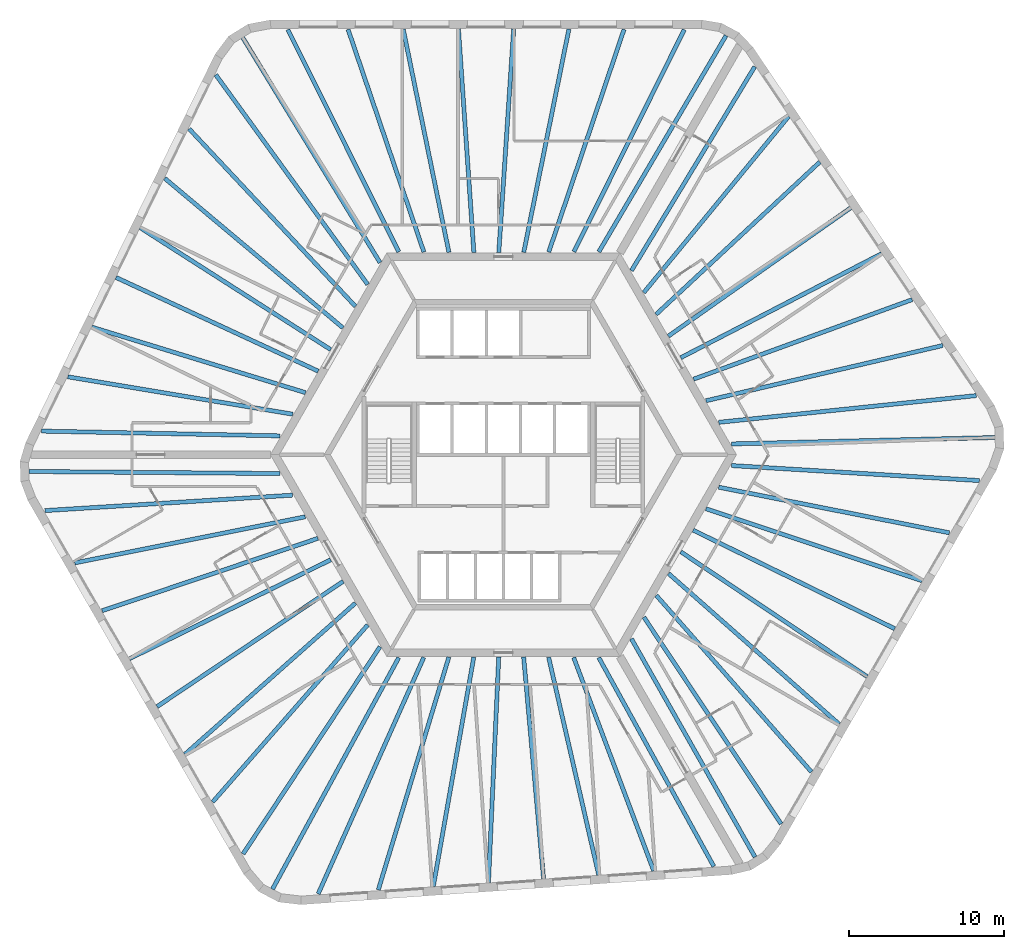
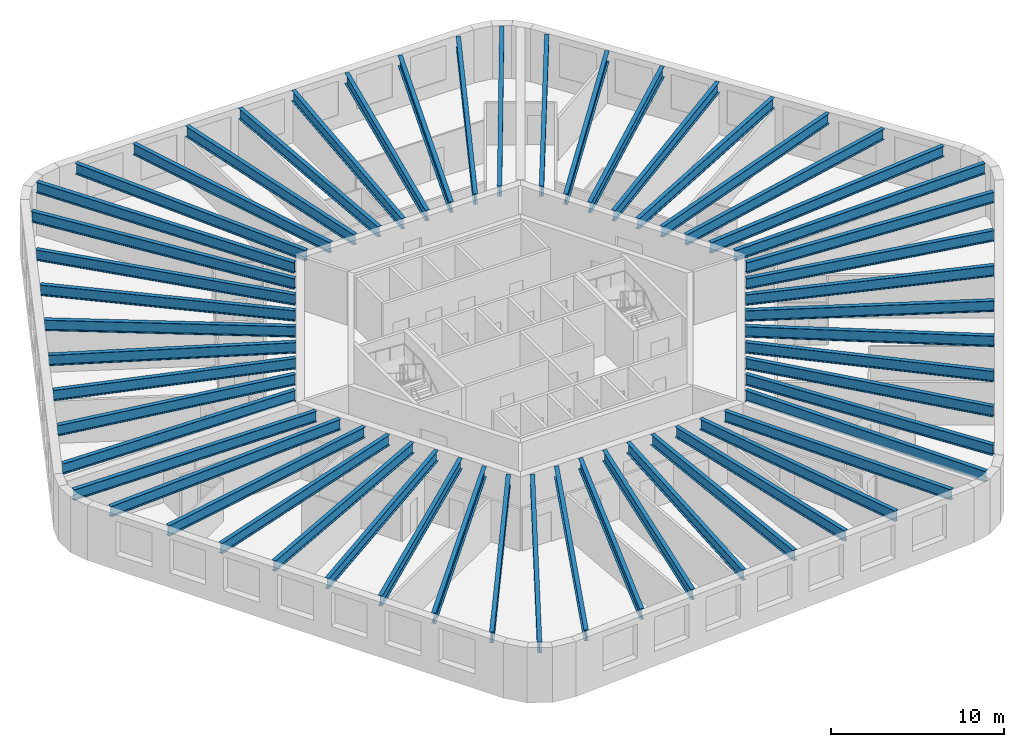
# One storey, part 1 of 10: 54 beams.
"""IFC4 building model written with IfcOpenShell, lengths in metres."""

from ifc_helpers import new_model, si_unit, direction, frame, origin, origin_2d, place, context, subcontext, project, spatial, i_section, extrude, material, material_profile, profile_set, type_object, element, save


model = new_model("IFC4")

# Units and contexts
model_context = context("Model", 3, precision=1e-05, world=origin(), true_north=direction((0.0, 1.0)))
body_context = subcontext(model_context, "Body", "Model", "MODEL_VIEW")
ifc_project = project(units=[si_unit("LENGTHUNIT", "METRE"), si_unit("AREAUNIT", "SQUARE_METRE"), si_unit("VOLUMEUNIT", "CUBIC_METRE"), si_unit("PLANEANGLEUNIT", "RADIAN"), si_unit("MASSUNIT", "GRAM", prefix="KILO")], contexts=[model_context])

# Site, building, storey
site_placement = place(None, origin())
site = spatial("IfcSite", under=ifc_project, at=site_placement, CompositionType="ELEMENT")
building_placement = place(site_placement, origin())
building = spatial("IfcBuilding", under=site, at=building_placement, Name="Tarnside Tower", CompositionType="ELEMENT")
storey_placement = place(building_placement, frame((0.0, 0.0, 234.60009765625)))
storey = spatial("IfcBuildingStorey", under=building, at=storey_placement, Name="L56", CompositionType="ELEMENT", Elevation=234.60009765625)

# Beams
ifc_material = material(Name="Steel S355", Category="steel")
ifc_material_profile_1 = material_profile(ifc_material, i_section(OverallWidth=0.26513671875, OverallDepth=0.75390625, WebThickness=0.0126953125, FlangeThickness=0.017578125, FilletRadius=0.0166015625, at=origin_2d()), Name="UB 762x267x147")
ifc_profile_set_1 = profile_set([ifc_material_profile_1], Name="Steel S355")
beam_type_1 = type_object("IfcBeamType", Name="Floor beam UB 762x267x147", PredefinedType="BEAM", material=ifc_profile_set_1)
beam_1_placement = place(storey_placement, frame((7.77001953125, 27.393310546875, 3.372802734375), z_axis=(-0.320362579778, -0.947295000239, 0.0), x_axis=(0.947295000239, -0.320362579778, 0.0)))
element("IfcBeam", 1, at=beam_1_placement, inside=storey, type_object=beam_type_1, Name="Floor beam F1.02", PredefinedType="BEAM", context=body_context, shape_type="SweptSolid", body=[
    extrude(i_section(OverallWidth=0.26513671875, OverallDepth=0.75390625, WebThickness=0.0126953125, FlangeThickness=0.017578125, FilletRadius=0.0166015625, at=origin_2d()), origin(), (0.0, 0.0, 1.0), 15.134033203125),
])
beam_2_placement = place(storey_placement, frame((4.218505859375, 27.410888671875, 3.372802734375), z_axis=(-0.19841777413, -0.980117537293, 0.0), x_axis=(0.980117537293, -0.19841777413, 0.0)))
element("IfcBeam", 2, at=beam_2_placement, inside=storey, type_object=beam_type_1, Name="Floor beam F1.03", PredefinedType="BEAM", context=body_context, shape_type="SweptSolid", body=[
    extrude(i_section(OverallWidth=0.26513671875, OverallDepth=0.75390625, WebThickness=0.0126953125, FlangeThickness=0.017578125, FilletRadius=0.0166015625, at=origin_2d()), origin(), (0.0, 0.0, 1.0), 14.6630859375),
])
beam_3_placement = place(storey_placement, frame((0.66259765625, 27.429931640625, 3.372802734375), z_axis=(-0.066554914868, -0.997782763585, 0.0), x_axis=(0.997782763585, -0.066554914868, 0.0)))
element("IfcBeam", 3, at=beam_3_placement, inside=storey, type_object=beam_type_1, Name="Floor beam F1.04", PredefinedType="BEAM", context=body_context, shape_type="SweptSolid", body=[
    extrude(i_section(OverallWidth=0.26513671875, OverallDepth=0.75390625, WebThickness=0.0126953125, FlangeThickness=0.017578125, FilletRadius=0.0166015625, at=origin_2d()), origin(), (0.0, 0.0, 1.0), 14.44189453125),
])
beam_4_placement = place(storey_placement, frame((-2.8974609375, 27.429931640625, 3.372802734375), z_axis=(0.068876921658, -0.997625164911, 0.0), x_axis=(0.997625164911, 0.068876921658, 0.0)))
element("IfcBeam", 4, at=beam_4_placement, inside=storey, type_object=beam_type_1, Name="Floor beam F1.05", PredefinedType="BEAM", context=body_context, shape_type="SweptSolid", body=[
    extrude(i_section(OverallWidth=0.26513671875, OverallDepth=0.75390625, WebThickness=0.0126953125, FlangeThickness=0.017578125, FilletRadius=0.0166015625, at=origin_2d()), origin(), (0.0, 0.0, 1.0), 14.4443359375),
])
beam_5_placement = place(storey_placement, frame((-6.45361328125, 27.410888671875, 3.372802734375), z_axis=(0.200623497398, -0.979668419564, 0.0), x_axis=(0.979668419564, 0.200623497398, 0.0)))
element("IfcBeam", 5, at=beam_5_placement, inside=storey, type_object=beam_type_1, Name="Floor beam F1.06", PredefinedType="BEAM", context=body_context, shape_type="SweptSolid", body=[
    extrude(i_section(OverallWidth=0.26513671875, OverallDepth=0.75390625, WebThickness=0.0126953125, FlangeThickness=0.017578125, FilletRadius=0.0166015625, at=origin_2d()), origin(), (0.0, 0.0, 1.0), 14.669921875),
])
beam_6_placement = place(storey_placement, frame((-10.0048828125, 27.393310546875, 3.372802734375), z_axis=(0.322343712034, -0.946622697442, 0.0), x_axis=(0.946622697442, 0.322343712034, 0.0)))
element("IfcBeam", 6, at=beam_6_placement, inside=storey, type_object=beam_type_1, Name="Floor beam F1.07", PredefinedType="BEAM", context=body_context, shape_type="SweptSolid", body=[
    extrude(i_section(OverallWidth=0.26513671875, OverallDepth=0.75390625, WebThickness=0.0126953125, FlangeThickness=0.017578125, FilletRadius=0.0166015625, at=origin_2d()), origin(), (0.0, 0.0, 1.0), 15.144775390625),
])
beam_7_placement = place(storey_placement, frame((-20.241455078125, 20.9892578125, 3.372802734375), z_axis=(0.683752330283, -0.729714156936, 0.0), x_axis=(0.729714156936, 0.683752330283, 0.0)))
element("IfcBeam", 7, at=beam_7_placement, inside=storey, type_object=beam_type_1, Name="Floor beam F2.02", PredefinedType="BEAM", context=body_context, shape_type="SweptSolid", body=[
    extrude(i_section(OverallWidth=0.26513671875, OverallDepth=0.75390625, WebThickness=0.0126953125, FlangeThickness=0.017578125, FilletRadius=0.0166015625, at=origin_2d()), origin(), (0.0, 0.0, 1.0), 15.6591796875),
])
beam_8_placement = place(storey_placement, frame((-21.81396484375, 17.80419921875, 3.372802734375), z_axis=(0.765948461073, -0.642901979294, 0.0), x_axis=(0.642901979294, 0.765948461073, 0.0)))
element("IfcBeam", 8, at=beam_8_placement, inside=storey, type_object=beam_type_1, Name="Floor beam F2.03", PredefinedType="BEAM", context=body_context, shape_type="SweptSolid", body=[
    extrude(i_section(OverallWidth=0.26513671875, OverallDepth=0.75390625, WebThickness=0.0126953125, FlangeThickness=0.017578125, FilletRadius=0.0166015625, at=origin_2d()), origin(), (0.0, 0.0, 1.0), 14.982177734375),
])
beam_9_placement = place(storey_placement, frame((-23.389892578125, 14.616455078125, 3.372802734375), z_axis=(0.842378275633, -0.538886667808, 0.0), x_axis=(0.538886667808, 0.842378275633, 0.0)))
element("IfcBeam", 9, at=beam_9_placement, inside=storey, type_object=beam_type_1, Name="Floor beam F2.04", PredefinedType="BEAM", context=body_context, shape_type="SweptSolid", body=[
    extrude(i_section(OverallWidth=0.26513671875, OverallDepth=0.75390625, WebThickness=0.0126953125, FlangeThickness=0.017578125, FilletRadius=0.0166015625, at=origin_2d()), origin(), (0.0, 0.0, 1.0), 14.5595703125),
])
beam_10_placement = place(storey_placement, frame((-24.9501953125, 11.416748046875, 3.372802734375), z_axis=(0.907310131748, -0.420462037321, 0.0), x_axis=(0.420462037321, 0.907310131748, 0.0)))
element("IfcBeam", 10, at=beam_10_placement, inside=storey, type_object=beam_type_1, Name="Floor beam F2.05", PredefinedType="BEAM", context=body_context, shape_type="SweptSolid", body=[
    extrude(i_section(OverallWidth=0.26513671875, OverallDepth=0.75390625, WebThickness=0.0126953125, FlangeThickness=0.017578125, FilletRadius=0.0166015625, at=origin_2d()), origin(), (0.0, 0.0, 1.0), 14.353515625),
])
beam_11_placement = place(storey_placement, frame((-26.510986328125, 8.2177734375, 3.372802734375), z_axis=(0.956073348261, -0.293127536654, 0.0), x_axis=(0.293127536654, 0.956073348261, 0.0)))
element("IfcBeam", 11, at=beam_11_placement, inside=storey, type_object=beam_type_1, Name="Floor beam F2.06", PredefinedType="BEAM", context=body_context, shape_type="SweptSolid", body=[
    extrude(i_section(OverallWidth=0.26513671875, OverallDepth=0.75390625, WebThickness=0.0126953125, FlangeThickness=0.017578125, FilletRadius=0.0166015625, at=origin_2d()), origin(), (0.0, 0.0, 1.0), 14.3955078125),
])
beam_12_placement = place(storey_placement, frame((-28.0517578125, 5.015869140625, 3.372802734375), z_axis=(0.986476498304, -0.163902770858, 0.0), x_axis=(0.163902770858, 0.986476498304, 0.0)))
element("IfcBeam", 12, at=beam_12_placement, inside=storey, type_object=beam_type_1, Name="Floor beam F2.07", PredefinedType="BEAM", context=body_context, shape_type="SweptSolid", body=[
    extrude(i_section(OverallWidth=0.26513671875, OverallDepth=0.75390625, WebThickness=0.0126953125, FlangeThickness=0.017578125, FilletRadius=0.0166015625, at=origin_2d()), origin(), (0.0, 0.0, 1.0), 14.680908203125),
])
beam_13_placement = place(storey_placement, frame((-29.73828125, 1.521484375, 3.372802734375), z_axis=(0.999800142641, -0.019991867701, 0.0), x_axis=(0.019991867701, 0.999800142641, 0.0)))
element("IfcBeam", 13, at=beam_13_placement, inside=storey, type_object=beam_type_1, Name="Floor beam F2.08", PredefinedType="BEAM", context=body_context, shape_type="SweptSolid", body=[
    extrude(i_section(OverallWidth=0.26513671875, OverallDepth=0.75390625, WebThickness=0.0126953125, FlangeThickness=0.017578125, FilletRadius=0.0166015625, at=origin_2d()), origin(), (0.0, 0.0, 1.0), 15.3505859375),
])
beam_14_placement = place(storey_placement, frame((-27.608154296875, -6.967529296875, 3.372802734375), z_axis=(0.980564540422, 0.196196794232, 0.0), x_axis=(-0.196196794232, 0.980564540422, 0.0)))
element("IfcBeam", 14, at=beam_14_placement, inside=storey, type_object=beam_type_1, Name="Floor beam F3.02", PredefinedType="BEAM", context=body_context, shape_type="SweptSolid", body=[
    extrude(i_section(OverallWidth=0.26513671875, OverallDepth=0.75390625, WebThickness=0.0126953125, FlangeThickness=0.017578125, FilletRadius=0.0166015625, at=origin_2d()), origin(), (0.0, 0.0, 1.0), 15.134033203125),
])
beam_15_placement = place(storey_placement, frame((-25.84765625, -10.052001953125, 3.372802734375), z_axis=(0.948011835322, 0.31823507049, 0.0), x_axis=(-0.31823507049, 0.948011835322, 0.0)))
element("IfcBeam", 15, at=beam_15_placement, inside=storey, type_object=beam_type_1, Name="Floor beam F3.03", PredefinedType="BEAM", context=body_context, shape_type="SweptSolid", body=[
    extrude(i_section(OverallWidth=0.26513671875, OverallDepth=0.75390625, WebThickness=0.0126953125, FlangeThickness=0.017578125, FilletRadius=0.0166015625, at=origin_2d()), origin(), (0.0, 0.0, 1.0), 14.662841796875),
])
beam_16_placement = place(storey_placement, frame((-24.086181640625, -13.141357421875, 3.372802734375), z_axis=(0.897375974806, 0.441266767206, 0.0), x_axis=(-0.441266767206, 0.897375974806, 0.0)))
element("IfcBeam", 16, at=beam_16_placement, inside=storey, type_object=beam_type_1, Name="Floor beam F3.04", PredefinedType="BEAM", context=body_context, shape_type="SweptSolid", body=[
    extrude(i_section(OverallWidth=0.26513671875, OverallDepth=0.75390625, WebThickness=0.0126953125, FlangeThickness=0.017578125, FilletRadius=0.0166015625, at=origin_2d()), origin(), (0.0, 0.0, 1.0), 14.442138671875),
])
beam_17_placement = place(storey_placement, frame((-22.306396484375, -16.224365234375, 3.372802734375), z_axis=(0.829532486243, 0.558458462437, 0.0), x_axis=(-0.558458462437, 0.829532486243, 0.0)))
element("IfcBeam", 17, at=beam_17_placement, inside=storey, type_object=beam_type_1, Name="Floor beam F3.05", PredefinedType="BEAM", context=body_context, shape_type="SweptSolid", body=[
    extrude(i_section(OverallWidth=0.26513671875, OverallDepth=0.75390625, WebThickness=0.0126953125, FlangeThickness=0.017578125, FilletRadius=0.0166015625, at=origin_2d()), origin(), (0.0, 0.0, 1.0), 14.444580078125),
])
beam_18_placement = place(storey_placement, frame((-20.51171875, -19.294189453125, 3.372802734375), z_axis=(0.74811408094, 0.663570133369, 0.0), x_axis=(-0.663570133369, 0.74811408094, 0.0)))
element("IfcBeam", 18, at=beam_18_placement, inside=storey, type_object=beam_type_1, Name="Floor beam F3.06", PredefinedType="BEAM", context=body_context, shape_type="SweptSolid", body=[
    extrude(i_section(OverallWidth=0.26513671875, OverallDepth=0.75390625, WebThickness=0.0126953125, FlangeThickness=0.017578125, FilletRadius=0.0166015625, at=origin_2d()), origin(), (0.0, 0.0, 1.0), 14.669677734375),
])
beam_19_placement = place(storey_placement, frame((-18.720703125, -22.361083984375, 3.372802734375), z_axis=(0.658621010302, 0.752474826681, 0.0), x_axis=(-0.752474826681, 0.658621010302, 0.0)))
element("IfcBeam", 19, at=beam_19_placement, inside=storey, type_object=beam_type_1, Name="Floor beam F3.07", PredefinedType="BEAM", context=body_context, shape_type="SweptSolid", body=[
    extrude(i_section(OverallWidth=0.26513671875, OverallDepth=0.75390625, WebThickness=0.0126953125, FlangeThickness=0.017578125, FilletRadius=0.0166015625, at=origin_2d()), origin(), (0.0, 0.0, 1.0), 15.144775390625),
])
beam_20_placement = place(storey_placement, frame((-8.056396484375, -28.024169921875, 3.372802734375), z_axis=(0.290070138838, 0.957005388989, 0.0), x_axis=(-0.957005388989, 0.290070138838, 0.0)))
element("IfcBeam", 20, at=beam_20_placement, inside=storey, type_object=beam_type_1, Name="Floor beam F4.02", PredefinedType="BEAM", context=body_context, shape_type="SweptSolid", body=[
    extrude(i_section(OverallWidth=0.26513671875, OverallDepth=0.75390625, WebThickness=0.0126953125, FlangeThickness=0.017578125, FilletRadius=0.0166015625, at=origin_2d()), origin(), (0.0, 0.0, 1.0), 15.6591796875),
])
beam_21_placement = place(storey_placement, frame((-4.511962890625, -27.793701171875, 3.372802734375), z_axis=(0.173788122681, 0.984783066678, 0.0), x_axis=(-0.984783066678, 0.173788122681, 0.0)))
element("IfcBeam", 21, at=beam_21_placement, inside=storey, type_object=beam_type_1, Name="Floor beam F4.03", PredefinedType="BEAM", context=body_context, shape_type="SweptSolid", body=[
    extrude(i_section(OverallWidth=0.26513671875, OverallDepth=0.75390625, WebThickness=0.0126953125, FlangeThickness=0.017578125, FilletRadius=0.0166015625, at=origin_2d()), origin(), (0.0, 0.0, 1.0), 14.982421875),
])
beam_22_placement = place(storey_placement, frame((-0.96337890625, -27.564453125, 3.372802734375), z_axis=(0.045509585226, 0.998963902077, 0.0), x_axis=(-0.998963902077, 0.045509585226, 0.0)))
element("IfcBeam", 22, at=beam_22_placement, inside=storey, type_object=beam_type_1, Name="Floor beam F4.04", PredefinedType="BEAM", context=body_context, shape_type="SweptSolid", body=[
    extrude(i_section(OverallWidth=0.26513671875, OverallDepth=0.75390625, WebThickness=0.0126953125, FlangeThickness=0.017578125, FilletRadius=0.0166015625, at=origin_2d()), origin(), (0.0, 0.0, 1.0), 14.5595703125),
])
beam_23_placement = place(storey_placement, frame((2.587890625, -27.31591796875, 3.372802734375), z_axis=(-0.089518916897, 0.995985122137, 0.0), x_axis=(-0.995985122137, -0.089518916897, 0.0)))
element("IfcBeam", 23, at=beam_23_placement, inside=storey, type_object=beam_type_1, Name="Floor beam F4.05", PredefinedType="BEAM", context=body_context, shape_type="SweptSolid", body=[
    extrude(i_section(OverallWidth=0.26513671875, OverallDepth=0.75390625, WebThickness=0.0126953125, FlangeThickness=0.017578125, FilletRadius=0.0166015625, at=origin_2d()), origin(), (0.0, 0.0, 1.0), 14.353515625),
])
beam_24_placement = place(storey_placement, frame((6.138671875, -27.068115234375, 3.372802734375), z_axis=(-0.224188122435, 0.974545886944, 0.0), x_axis=(-0.974545886944, -0.224188122435, 0.0)))
element("IfcBeam", 24, at=beam_24_placement, inside=storey, type_object=beam_type_1, Name="Floor beam F4.06", PredefinedType="BEAM", context=body_context, shape_type="SweptSolid", body=[
    extrude(i_section(OverallWidth=0.26513671875, OverallDepth=0.75390625, WebThickness=0.0126953125, FlangeThickness=0.017578125, FilletRadius=0.0166015625, at=origin_2d()), origin(), (0.0, 0.0, 1.0), 14.3955078125),
])
beam_25_placement = place(storey_placement, frame((9.681884765625, -26.801513671875, 3.372802734375), z_axis=(-0.351271055087, 0.936273809234, 0.0), x_axis=(-0.936273809234, -0.351271055087, 0.0)))
element("IfcBeam", 25, at=beam_25_placement, inside=storey, type_object=beam_type_1, Name="Floor beam F4.07", PredefinedType="BEAM", context=body_context, shape_type="SweptSolid", body=[
    extrude(i_section(OverallWidth=0.26513671875, OverallDepth=0.75390625, WebThickness=0.0126953125, FlangeThickness=0.017578125, FilletRadius=0.0166015625, at=origin_2d()), origin(), (0.0, 0.0, 1.0), 14.680908203125),
])
beam_26_placement = place(storey_placement, frame((13.551513671875, -26.514892578125, 3.372802734375), z_axis=(-0.482584088089, 0.875849643445, 0.0), x_axis=(-0.875849643445, -0.482584088089, 0.0)))
element("IfcBeam", 26, at=beam_26_placement, inside=storey, type_object=beam_type_1, Name="Floor beam F4.08", PredefinedType="BEAM", context=body_context, shape_type="SweptSolid", body=[
    extrude(i_section(OverallWidth=0.26513671875, OverallDepth=0.75390625, WebThickness=0.0126953125, FlangeThickness=0.017578125, FilletRadius=0.0166015625, at=origin_2d()), origin(), (0.0, 0.0, 1.0), 15.3505859375),
])
beam_27_placement = place(storey_placement, frame((19.838134765625, -20.425537109375, 3.372802734375), z_axis=(-0.660201214512, 0.751088780609, 0.0), x_axis=(-0.751088780609, -0.660201214512, 0.0)))
element("IfcBeam", 27, at=beam_27_placement, inside=storey, type_object=beam_type_1, Name="Floor beam F5.02", PredefinedType="BEAM", context=body_context, shape_type="SweptSolid", body=[
    extrude(i_section(OverallWidth=0.26513671875, OverallDepth=0.75390625, WebThickness=0.0126953125, FlangeThickness=0.017578125, FilletRadius=0.0166015625, at=origin_2d()), origin(), (0.0, 0.0, 1.0), 15.134033203125),
])
beam_28_placement = place(storey_placement, frame((21.629150390625, -17.358642578125, 3.372802734375), z_axis=(-0.749601662028, 0.661889226597, 0.0), x_axis=(-0.661889226597, -0.749601662028, 0.0)))
element("IfcBeam", 28, at=beam_28_placement, inside=storey, type_object=beam_type_1, Name="Floor beam F5.03", PredefinedType="BEAM", context=body_context, shape_type="SweptSolid", body=[
    extrude(i_section(OverallWidth=0.26513671875, OverallDepth=0.75390625, WebThickness=0.0126953125, FlangeThickness=0.017578125, FilletRadius=0.0166015625, at=origin_2d()), origin(), (0.0, 0.0, 1.0), 14.6630859375),
])
beam_29_placement = place(storey_placement, frame((23.423828125, -14.288818359375, 3.372802734375), z_axis=(-0.830825943553, 0.556532345439, 0.0), x_axis=(-0.556532345439, -0.830825943553, 0.0)))
element("IfcBeam", 29, at=beam_29_placement, inside=storey, type_object=beam_type_1, Name="Floor beam F5.04", PredefinedType="BEAM", context=body_context, shape_type="SweptSolid", body=[
    extrude(i_section(OverallWidth=0.26513671875, OverallDepth=0.75390625, WebThickness=0.0126953125, FlangeThickness=0.017578125, FilletRadius=0.0166015625, at=origin_2d()), origin(), (0.0, 0.0, 1.0), 14.4423828125),
])
beam_30_placement = place(storey_placement, frame((25.203857421875, -11.205810546875, 3.372802734375), z_axis=(-0.898407034897, 0.43916375038, 0.0), x_axis=(-0.43916375038, -0.898407034897, 0.0)))
element("IfcBeam", 30, at=beam_30_placement, inside=storey, type_object=beam_type_1, Name="Floor beam F5.05", PredefinedType="BEAM", context=body_context, shape_type="SweptSolid", body=[
    extrude(i_section(OverallWidth=0.26513671875, OverallDepth=0.75390625, WebThickness=0.0126953125, FlangeThickness=0.017578125, FilletRadius=0.0166015625, at=origin_2d()), origin(), (0.0, 0.0, 1.0), 14.444580078125),
])
beam_31_placement = place(storey_placement, frame((26.965087890625, -8.116455078125, 3.372802734375), z_axis=(-0.948728223501, 0.31609295774, 0.0), x_axis=(-0.31609295774, -0.948728223501, 0.0)))
element("IfcBeam", 31, at=beam_31_placement, inside=storey, type_object=beam_type_1, Name="Floor beam F5.06", PredefinedType="BEAM", context=body_context, shape_type="SweptSolid", body=[
    extrude(i_section(OverallWidth=0.26513671875, OverallDepth=0.75390625, WebThickness=0.0126953125, FlangeThickness=0.017578125, FilletRadius=0.0166015625, at=origin_2d()), origin(), (0.0, 0.0, 1.0), 14.669677734375),
])
beam_32_placement = place(storey_placement, frame((28.7255859375, -5.031982421875, 3.372802734375), z_axis=(-0.980974250646, 0.194137888034, 0.0), x_axis=(-0.194137888034, -0.980974250646, 0.0)))
element("IfcBeam", 32, at=beam_32_placement, inside=storey, type_object=beam_type_1, Name="Floor beam F5.07", PredefinedType="BEAM", context=body_context, shape_type="SweptSolid", body=[
    extrude(i_section(OverallWidth=0.26513671875, OverallDepth=0.75390625, WebThickness=0.0126953125, FlangeThickness=0.017578125, FilletRadius=0.0166015625, at=origin_2d()), origin(), (0.0, 0.0, 1.0), 15.144775390625),
])
beam_33_placement = place(storey_placement, frame((28.2978515625, 7.034912109375, 3.372802734375), z_axis=(-0.973828212928, -0.227285309042, 0.0), x_axis=(0.227285309042, -0.973828212928, 0.0)))
element("IfcBeam", 33, at=beam_33_placement, inside=storey, type_object=beam_type_1, Name="Floor beam F6.02", PredefinedType="BEAM", context=body_context, shape_type="SweptSolid", body=[
    extrude(i_section(OverallWidth=0.26513671875, OverallDepth=0.75390625, WebThickness=0.0126953125, FlangeThickness=0.017578125, FilletRadius=0.0166015625, at=origin_2d()), origin(), (0.0, 0.0, 1.0), 15.6591796875),
])
beam_34_placement = place(storey_placement, frame((26.325927734375, 9.989501953125, 3.372802734375), z_axis=(-0.939738697004, -0.341893523415, 0.0), x_axis=(0.341893523415, -0.939738697004, 0.0)))
element("IfcBeam", 34, at=beam_34_placement, inside=storey, type_object=beam_type_1, Name="Floor beam F6.03", PredefinedType="BEAM", context=body_context, shape_type="SweptSolid", body=[
    extrude(i_section(OverallWidth=0.26513671875, OverallDepth=0.75390625, WebThickness=0.0126953125, FlangeThickness=0.017578125, FilletRadius=0.0166015625, at=origin_2d()), origin(), (0.0, 0.0, 1.0), 14.982177734375),
])
beam_35_placement = place(storey_placement, frame((24.353271484375, 12.947998046875, 3.372802734375), z_axis=(-0.887881646639, -0.460071930856, 0.0), x_axis=(0.460071930856, -0.887881646639, 0.0)))
element("IfcBeam", 35, at=beam_35_placement, inside=storey, type_object=beam_type_1, Name="Floor beam F6.04", PredefinedType="BEAM", context=body_context, shape_type="SweptSolid", body=[
    extrude(i_section(OverallWidth=0.26513671875, OverallDepth=0.75390625, WebThickness=0.0126953125, FlangeThickness=0.017578125, FilletRadius=0.0166015625, at=origin_2d()), origin(), (0.0, 0.0, 1.0), 14.5595703125),
])
beam_36_placement = place(storey_placement, frame((22.3623046875, 15.899169921875, 3.372802734375), z_axis=(-0.817791001708, -0.575515314762, 0.0), x_axis=(0.575515314762, -0.817791001708, 0.0)))
element("IfcBeam", 36, at=beam_36_placement, inside=storey, type_object=beam_type_1, Name="Floor beam F6.05", PredefinedType="BEAM", context=body_context, shape_type="SweptSolid", body=[
    extrude(i_section(OverallWidth=0.26513671875, OverallDepth=0.75390625, WebThickness=0.0126953125, FlangeThickness=0.017578125, FilletRadius=0.0166015625, at=origin_2d()), origin(), (0.0, 0.0, 1.0), 14.353759765625),
])
beam_37_placement = place(storey_placement, frame((20.372314453125, 18.850341796875, 3.372802734375), z_axis=(-0.731892224456, -0.681420407517, 0.0), x_axis=(0.681420407517, -0.731892224456, 0.0)))
element("IfcBeam", 37, at=beam_37_placement, inside=storey, type_object=beam_type_1, Name="Floor beam F6.06", PredefinedType="BEAM", context=body_context, shape_type="SweptSolid", body=[
    extrude(i_section(OverallWidth=0.26513671875, OverallDepth=0.75390625, WebThickness=0.0126953125, FlangeThickness=0.017578125, FilletRadius=0.0166015625, at=origin_2d()), origin(), (0.0, 0.0, 1.0), 14.3955078125),
])
beam_38_placement = place(storey_placement, frame((18.369873046875, 21.78564453125, 3.372802734375), z_axis=(-0.635191827457, -0.772354414975, 0.0), x_axis=(0.772354414975, -0.635191827457, 0.0)))
element("IfcBeam", 38, at=beam_38_placement, inside=storey, type_object=beam_type_1, Name="Floor beam F6.07", PredefinedType="BEAM", context=body_context, shape_type="SweptSolid", body=[
    extrude(i_section(OverallWidth=0.26513671875, OverallDepth=0.75390625, WebThickness=0.0126953125, FlangeThickness=0.017578125, FilletRadius=0.0166015625, at=origin_2d()), origin(), (0.0, 0.0, 1.0), 14.680908203125),
])
beam_39_placement = place(storey_placement, frame((16.186767578125, 24.993408203125, 3.372802734375), z_axis=(-0.517208605106, -0.855859368591, 0.0), x_axis=(0.855859368591, -0.517208605106, 0.0)))
element("IfcBeam", 39, at=beam_39_placement, inside=storey, type_object=beam_type_1, Name="Floor beam F6.08", PredefinedType="BEAM", context=body_context, shape_type="SweptSolid", body=[
    extrude(i_section(OverallWidth=0.26513671875, OverallDepth=0.75390625, WebThickness=0.0126953125, FlangeThickness=0.017578125, FilletRadius=0.0166015625, at=origin_2d()), origin(), (0.0, 0.0, 1.0), 15.3505859375),
])
ifc_material_profile_2 = material_profile(ifc_material, i_section(OverallWidth=0.2666015625, OverallDepth=0.76220703125, WebThickness=0.014404296875, FlangeThickness=0.021484375, FilletRadius=0.0166015625, at=origin_2d()), Name="UB 762x267x173")
ifc_profile_set_2 = profile_set([ifc_material_profile_2], Name="Steel S355")
beam_type_2 = type_object("IfcBeamType", Name="Floor beam UB 762x267x173", PredefinedType="BEAM", material=ifc_profile_set_2)
beam_40_placement = place(storey_placement, frame((11.6494140625, 27.37841796875, 3.368896484375), z_axis=(-0.445042310328, -0.895509543231, 0.0), x_axis=(0.895509543231, -0.445042310328, 0.0)))
element("IfcBeam", 40, at=beam_40_placement, inside=storey, type_object=beam_type_2, Name="Floor beam F1.01", PredefinedType="BEAM", context=body_context, shape_type="SweptSolid", body=[
    extrude(i_section(OverallWidth=0.2666015625, OverallDepth=0.76220703125, WebThickness=0.014404296875, FlangeThickness=0.021484375, FilletRadius=0.0166015625, at=origin_2d()), origin(), (0.0, 0.0, 1.0), 15.976318359375),
])
beam_41_placement = place(storey_placement, frame((-13.884521484375, 27.37841796875, 3.368896484375), z_axis=(0.44673108957, -0.894668281326, 0.0), x_axis=(0.894668281326, 0.44673108957, 0.0)))
element("IfcBeam", 41, at=beam_41_placement, inside=storey, type_object=beam_type_2, Name="Floor beam F1.08", PredefinedType="BEAM", context=body_context, shape_type="SweptSolid", body=[
    extrude(i_section(OverallWidth=0.2666015625, OverallDepth=0.76220703125, WebThickness=0.014404296875, FlangeThickness=0.021484375, FilletRadius=0.0166015625, at=origin_2d()), origin(), (0.0, 0.0, 1.0), 15.9912109375),
])
beam_42_placement = place(storey_placement, frame((-16.79345703125, 26.86962890625, 3.368896484375), z_axis=(0.520940467881, -0.853593011291, 0.0), x_axis=(0.853593011291, 0.520940467881, 0.0)))
element("IfcBeam", 42, at=beam_42_placement, inside=storey, type_object=beam_type_2, Name="Floor beam C1", PredefinedType="BEAM", context=body_context, shape_type="SweptSolid", body=[
    extrude(i_section(OverallWidth=0.2666015625, OverallDepth=0.76220703125, WebThickness=0.014404296875, FlangeThickness=0.021484375, FilletRadius=0.0166015625, at=origin_2d()), origin(), (0.0, 0.0, 1.0), 16.980712890625),
])
beam_43_placement = place(storey_placement, frame((-18.52685546875, 24.471435546875, 3.368896484375), z_axis=(0.586791943415, -0.80973774467, 0.0), x_axis=(0.80973774467, 0.586791943415, 0.0)))
element("IfcBeam", 43, at=beam_43_placement, inside=storey, type_object=beam_type_2, Name="Floor beam F2.01", PredefinedType="BEAM", context=body_context, shape_type="SweptSolid", body=[
    extrude(i_section(OverallWidth=0.2666015625, OverallDepth=0.76220703125, WebThickness=0.014404296875, FlangeThickness=0.021484375, FilletRadius=0.0166015625, at=origin_2d()), origin(), (0.0, 0.0, 1.0), 16.67578125),
])
beam_44_placement = place(storey_placement, frame((-30.543212890625, -1.079345703125, 3.368896484375), z_axis=(0.999966072652, -0.008237326324, 0.0), x_axis=(0.008237326324, 0.999966072652, 0.0)))
element("IfcBeam", 44, at=beam_44_placement, inside=storey, type_object=beam_type_2, Name="Floor beam C2", PredefinedType="BEAM", context=body_context, shape_type="SweptSolid", body=[
    extrude(i_section(OverallWidth=0.2666015625, OverallDepth=0.76220703125, WebThickness=0.014404296875, FlangeThickness=0.021484375, FilletRadius=0.0166015625, at=origin_2d()), origin(), (0.0, 0.0, 1.0), 16.15283203125),
])
beam_45_placement = place(storey_placement, frame((-29.534912109375, -3.6005859375, 3.368896484375), z_axis=(0.99805531279, 0.062334521832, 0.0), x_axis=(-0.062334521832, 0.99805531279, 0.0)))
element("IfcBeam", 45, at=beam_45_placement, inside=storey, type_object=beam_type_2, Name="Floor beam F3.01", PredefinedType="BEAM", context=body_context, shape_type="SweptSolid", body=[
    extrude(i_section(OverallWidth=0.2666015625, OverallDepth=0.76220703125, WebThickness=0.014404296875, FlangeThickness=0.021484375, FilletRadius=0.0166015625, at=origin_2d()), origin(), (0.0, 0.0, 1.0), 15.975830078125),
])
beam_46_placement = place(storey_placement, frame((-16.768310546875, -25.71337890625, 3.368896484375), z_axis=(0.551447600123, 0.834209532623, 0.0), x_axis=(-0.834209532623, 0.551447600123, 0.0)))
element("IfcBeam", 46, at=beam_46_placement, inside=storey, type_object=beam_type_2, Name="Floor beam F3.08", PredefinedType="BEAM", context=body_context, shape_type="SweptSolid", body=[
    extrude(i_section(OverallWidth=0.2666015625, OverallDepth=0.76220703125, WebThickness=0.014404296875, FlangeThickness=0.021484375, FilletRadius=0.0166015625, at=origin_2d()), origin(), (0.0, 0.0, 1.0), 15.9912109375),
])
beam_47_placement = place(storey_placement, frame((-14.873046875, -27.978515625, 3.368896484375), z_axis=(0.478767512404, 0.877941723047, 0.0), x_axis=(-0.877941723047, 0.478767512404, 0.0)))
element("IfcBeam", 47, at=beam_47_placement, inside=storey, type_object=beam_type_2, Name="Floor beam C3", PredefinedType="BEAM", context=body_context, shape_type="SweptSolid", body=[
    extrude(i_section(OverallWidth=0.2666015625, OverallDepth=0.76220703125, WebThickness=0.014404296875, FlangeThickness=0.021484375, FilletRadius=0.0166015625, at=origin_2d()), origin(), (0.0, 0.0, 1.0), 16.98095703125),
])
beam_48_placement = place(storey_placement, frame((-11.929443359375, -28.280517578125, 3.368896484375), z_axis=(0.407852035629, 0.913048036542, 0.0), x_axis=(-0.913048036542, 0.407852035629, 0.0)))
element("IfcBeam", 48, at=beam_48_placement, inside=storey, type_object=beam_type_2, Name="Floor beam F4.01", PredefinedType="BEAM", context=body_context, shape_type="SweptSolid", body=[
    extrude(i_section(OverallWidth=0.2666015625, OverallDepth=0.76220703125, WebThickness=0.014404296875, FlangeThickness=0.021484375, FilletRadius=0.0166015625, at=origin_2d()), origin(), (0.0, 0.0, 1.0), 16.67578125),
])
beam_49_placement = place(storey_placement, frame((16.206298828125, -25.91162109375, 3.368896484375), z_axis=(-0.492847437034, 0.870115741616, 0.0), x_axis=(-0.870115741616, -0.492847437034, 0.0)))
element("IfcBeam", 49, at=beam_49_placement, inside=storey, type_object=beam_type_2, Name="Floor beam C4", PredefinedType="BEAM", context=body_context, shape_type="SweptSolid", body=[
    extrude(i_section(OverallWidth=0.2666015625, OverallDepth=0.76220703125, WebThickness=0.014404296875, FlangeThickness=0.021484375, FilletRadius=0.0166015625, at=origin_2d()), origin(), (0.0, 0.0, 1.0), 16.15283203125),
])
beam_50_placement = place(storey_placement, frame((17.8857421875, -23.77783203125, 3.368896484375), z_axis=(-0.553013371197, 0.833172377889, 0.0), x_axis=(-0.833172377889, -0.553013371197, 0.0)))
element("IfcBeam", 50, at=beam_50_placement, inside=storey, type_object=beam_type_2, Name="Floor beam F5.01", PredefinedType="BEAM", context=body_context, shape_type="SweptSolid", body=[
    extrude(i_section(OverallWidth=0.2666015625, OverallDepth=0.76220703125, WebThickness=0.014404296875, FlangeThickness=0.021484375, FilletRadius=0.0166015625, at=origin_2d()), origin(), (0.0, 0.0, 1.0), 15.97607421875),
])
beam_51_placement = place(storey_placement, frame((30.652587890625, -1.6650390625, 3.368896484375), z_axis=(-0.998170730858, 0.060458184371, 0.0), x_axis=(-0.060458184371, -0.998170730858, 0.0)))
element("IfcBeam", 51, at=beam_51_placement, inside=storey, type_object=beam_type_2, Name="Floor beam F5.08", PredefinedType="BEAM", context=body_context, shape_type="SweptSolid", body=[
    extrude(i_section(OverallWidth=0.2666015625, OverallDepth=0.76220703125, WebThickness=0.014404296875, FlangeThickness=0.021484375, FilletRadius=0.0166015625, at=origin_2d()), origin(), (0.0, 0.0, 1.0), 15.9912109375),
])
beam_52_placement = place(storey_placement, frame((31.66650390625, 1.108642578125, 3.368896484375), z_axis=(-0.999703706976, -0.024341287118, 0.0), x_axis=(0.024341287118, -0.999703706976, 0.0)))
element("IfcBeam", 52, at=beam_52_placement, inside=storey, type_object=beam_type_2, Name="Floor beam C5", PredefinedType="BEAM", context=body_context, shape_type="SweptSolid", body=[
    extrude(i_section(OverallWidth=0.2666015625, OverallDepth=0.76220703125, WebThickness=0.014404296875, FlangeThickness=0.021484375, FilletRadius=0.0166015625, at=origin_2d()), origin(), (0.0, 0.0, 1.0), 16.980712890625),
])
beam_53_placement = place(storey_placement, frame((30.456298828125, 3.80908203125, 3.368896484375), z_axis=(-0.994648352349, -0.103318222829, 0.0), x_axis=(0.103318222829, -0.994648352349, 0.0)))
element("IfcBeam", 53, at=beam_53_placement, inside=storey, type_object=beam_type_2, Name="Floor beam F6.01", PredefinedType="BEAM", context=body_context, shape_type="SweptSolid", body=[
    extrude(i_section(OverallWidth=0.2666015625, OverallDepth=0.76220703125, WebThickness=0.014404296875, FlangeThickness=0.021484375, FilletRadius=0.0166015625, at=origin_2d()), origin(), (0.0, 0.0, 1.0), 16.67578125),
])
beam_54_placement = place(storey_placement, frame((14.3369140625, 26.990966796875, 3.368896484375), z_axis=(-0.507115238706, -0.861878259775, 0.0), x_axis=(0.861878259775, -0.507115238706, 0.0)))
element("IfcBeam", 54, at=beam_54_placement, inside=storey, type_object=beam_type_2, Name="Floor beam C6", PredefinedType="BEAM", context=body_context, shape_type="SweptSolid", body=[
    extrude(i_section(OverallWidth=0.2666015625, OverallDepth=0.76220703125, WebThickness=0.014404296875, FlangeThickness=0.021484375, FilletRadius=0.0166015625, at=origin_2d()), origin(), (0.0, 0.0, 1.0), 16.15283203125),
])

save(model, "model.ifc")
